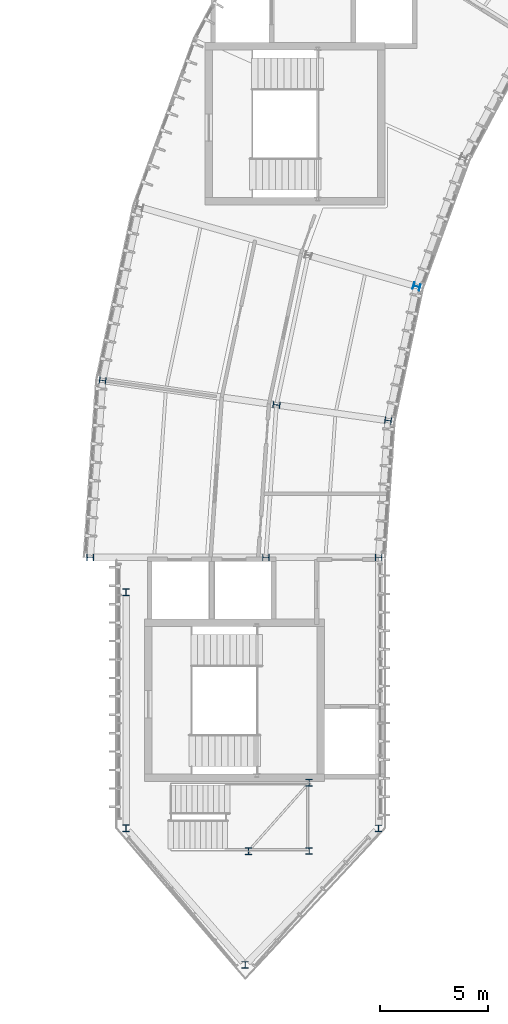
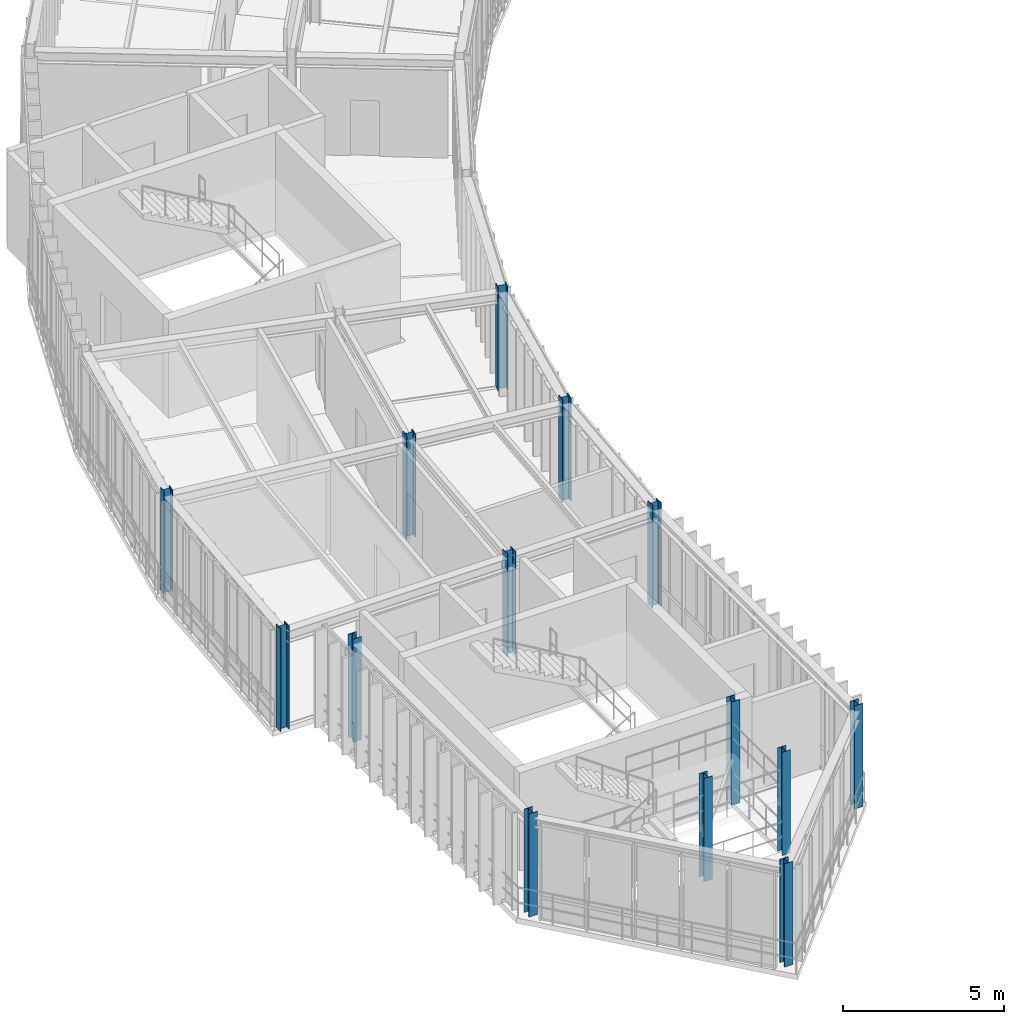
# One storey, part 1 of 42: 14 columns.
"""IFC4 building model written with IfcOpenShell, lengths in metres."""

from ifc_helpers import new_model, si_unit, direction, frame, origin, origin_2d, place, context, subcontext, project, spatial, i_section, extrude, material, material_profile, profile_set, type_object, element, save


model = new_model("IFC4")

# Units and contexts
model_context = context("Model", 3, precision=1e-05, world=origin(), true_north=direction((0.0, 1.0)))
body_context = subcontext(model_context, "Body", "Model", "MODEL_VIEW")
ifc_project = project(units=[si_unit("LENGTHUNIT", "METRE"), si_unit("AREAUNIT", "SQUARE_METRE"), si_unit("VOLUMEUNIT", "CUBIC_METRE"), si_unit("PLANEANGLEUNIT", "RADIAN"), si_unit("MASSUNIT", "GRAM", prefix="KILO"), si_unit("THERMODYNAMICTEMPERATUREUNIT", "KELVIN"), si_unit("POWERUNIT", "WATT")], contexts=[model_context])

# Site, building, storey
site_placement = place(None, origin())
site = spatial("IfcSite", under=ifc_project, at=site_placement, CompositionType="ELEMENT")
building_placement = place(site_placement, origin())
building = spatial("IfcBuilding", under=site, at=building_placement, Name="Solvatero Civic Police Headquarters", CompositionType="ELEMENT")
storey_placement = place(building_placement, frame((0.0, 0.0, 21.60009765625)))
storey = spatial("IfcBuildingStorey", under=building, at=storey_placement, Name="L05", CompositionType="ELEMENT", Elevation=21.60009765625)

# Columns
ifc_material = material(Name="Steel S355", Category="steel")
ifc_material_profile_1 = material_profile(ifc_material, i_section(OverallWidth=0.300048828125, OverallDepth=0.300048828125, WebThickness=0.010986328125, FlangeThickness=0.01904296875, FilletRadius=0.027099609375, at=origin_2d()), Name="HEB 300")
ifc_profile_set_1 = profile_set([ifc_material_profile_1], Name="Steel S355")
column_type_1 = type_object("IfcColumnType", Name="COL-ST-HEB300", PredefinedType="COLUMN", material=ifc_profile_set_1)
for number, where, z_axis, x_axis, name in (
    (1, (49.09130859375, 32.3115234375, 0.0), (0.0, 0.0, 1.0), (0.13917310096, 0.990268068742, 0.0), "Column ARC-S11-IN L05"),
    (2, (35.9208984375, 34.16259765625, 0.0), (0.0, 0.0, 1.0), (0.13917310096, 0.990268068742, 0.0), "Column ARC-S11-OUT L05"),
    (3, (43.449951171875, 26.0, 0.0), (0.0, 0.0, 1.0), (0.0, 1.0, 0.0), "Column ARC-S12-MID L05"),
    (4, (48.64990234375, 13.5, 0.0), (0.0, 0.0, 1.0), (1.0, 0.0, 0.0), "Column PROW-SE L05"),
    (5, (42.5, 7.199951171875, 0.0), (0.0, 0.0, 1.0), (1.0, 0.0, 0.0), "Column PROW-TIP L05"),
    (6, (45.449951171875, 12.449951171875, 0.0), (0.0, 0.0, 1.0), (1.0, 0.0, 0.0), "Column PRWS2 L05"),
):
    element("IfcColumn", number, at=place(storey_placement, frame(where, z_axis=z_axis, x_axis=x_axis)), inside=storey, type_object=column_type_1, Name=name, PredefinedType="COLUMN", context=body_context, shape_type="SweptSolid", body=[
        extrude(i_section(OverallWidth=0.300048828125, OverallDepth=0.300048828125, WebThickness=0.010986328125, FlangeThickness=0.01904296875, FilletRadius=0.027099609375, at=origin_2d()), origin(), (0.0, 0.0, 1.0), 3.89990234375),
    ])
ifc_material_profile_2 = material_profile(ifc_material, i_section(OverallWidth=0.300048828125, OverallDepth=0.320068359375, WebThickness=0.011474609375, FlangeThickness=0.0205078125, FilletRadius=0.027099609375, at=origin_2d()), Name="HEB 320")
ifc_profile_set_2 = profile_set([ifc_material_profile_2], Name="Steel S355")
column_type_2 = type_object("IfcColumnType", Name="COL-ST-HEB320", PredefinedType="COLUMN", material=ifc_profile_set_2)
for number, where, z_axis, x_axis, name in (
    (7, (50.40673828125, 38.500244140625, 0.0), (0.0, 0.0, 1.0), (0.275637355817, 0.961261695938, 0.0), "Column ARC-S10-IN L05"),
    (8, (43.94189453125, 33.03515625, 0.0), (0.0, 0.0, 1.0), (0.13917310096, 0.990268068742, 0.0), "Column ARC-S11-MID L05"),
    (9, (48.64990234375, 26.0, 0.0), (0.0, 0.0, 1.0), (0.0, 1.0, 0.0), "Column ARC-S12-IN L05"),
    (10, (35.35009765625, 26.0, 0.0), (0.0, 0.0, 1.0), (0.0, 1.0, 0.0), "Column ARC-S12-OUT L05"),
    (11, (37.0, 24.39990234375, 0.0), (0.0, 0.0, 1.0), (1.0, 0.0, 0.0), "Column PROW-NW L05"),
    (12, (37.0, 13.5, 0.0), (0.0, 0.0, 1.0), (1.0, 0.0, 0.0), "Column PROW-SW L05"),
    (13, (42.64990234375, 12.449951171875, 0.0), (0.0, 0.0, 1.0), (1.0, 0.0, 0.0), "Column PRWS1 L05"),
    (14, (45.449951171875, 15.60009765625, 0.0), (0.0, 0.0, 1.0), (1.0, 0.0, 0.0), "Column PRWS3 L05"),
):
    element("IfcColumn", number, at=place(storey_placement, frame(where, z_axis=z_axis, x_axis=x_axis)), inside=storey, type_object=column_type_2, Name=name, PredefinedType="COLUMN", context=body_context, shape_type="SweptSolid", body=[
        extrude(i_section(OverallWidth=0.300048828125, OverallDepth=0.320068359375, WebThickness=0.011474609375, FlangeThickness=0.0205078125, FilletRadius=0.027099609375, at=origin_2d()), origin(), (0.0, 0.0, 1.0), 3.89990234375),
    ])

save(model, "model.ifc")
